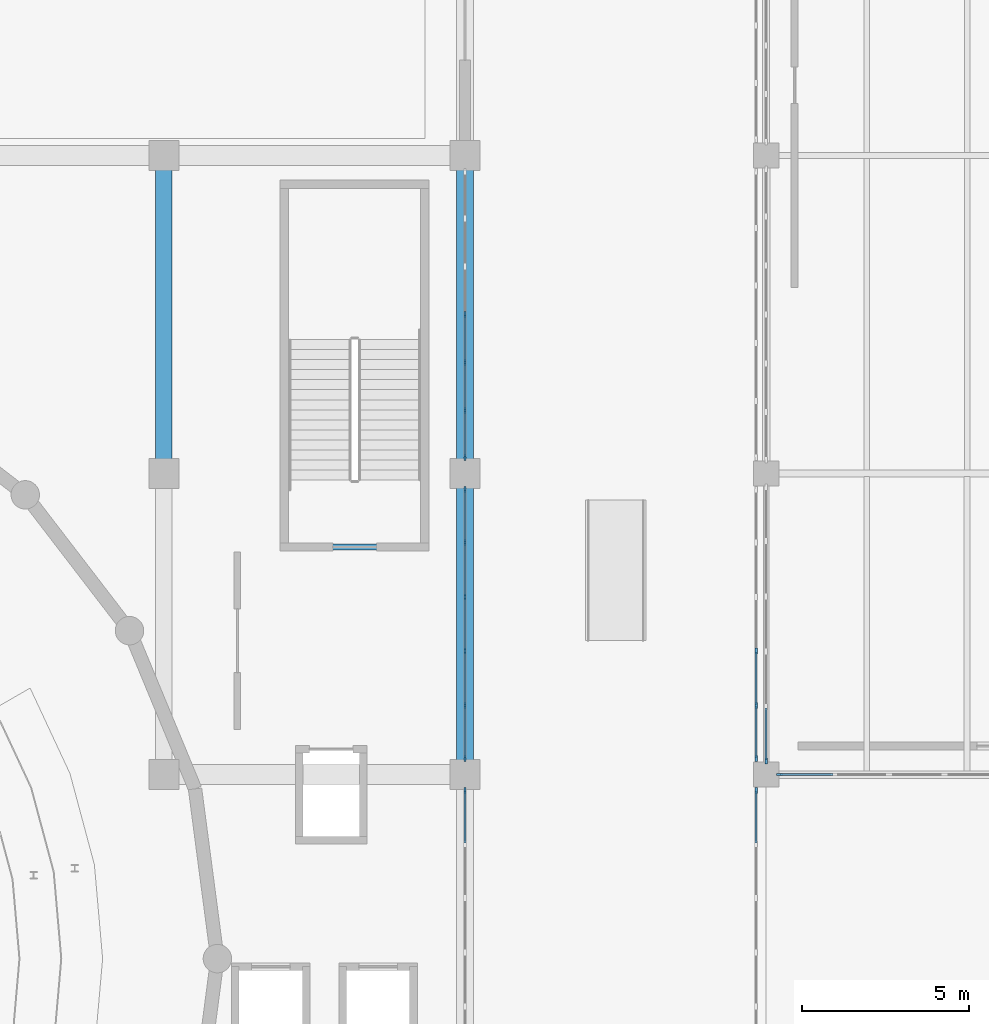
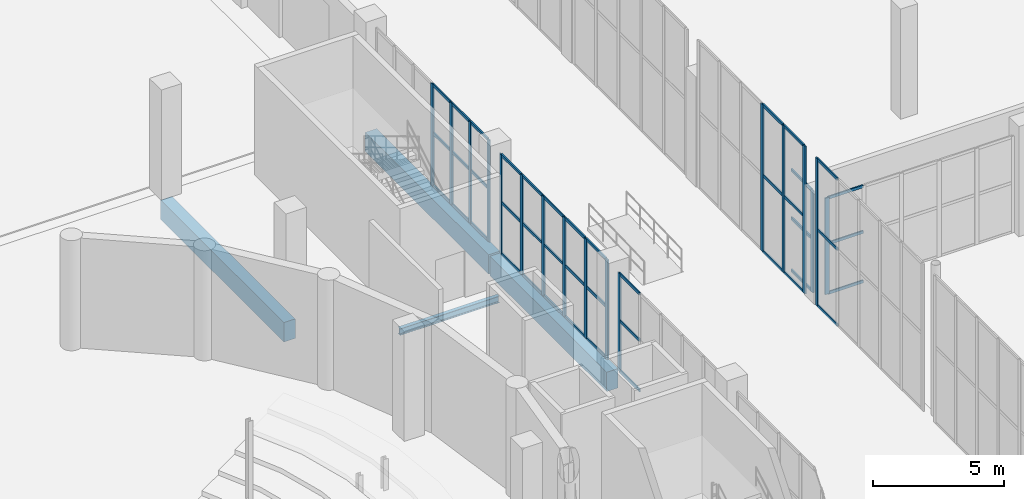
# One storey, part 51 of 103: 59 members, 4 beams, 7 elements without a shape of their own.
"""IFC4 building model written with IfcOpenShell, lengths in metres."""

from ifc_helpers import new_model, si_unit, direction, frame, origin, origin_2d, place, context, subcontext, project, spatial, rectangle, i_section, extrude, material, layer, layer_set, material_profile, profile_set, type_object, element, aggregate, save


model = new_model("IFC4")

# Units and contexts
model_context = context("Model", 3, precision=1e-05, world=origin(), true_north=direction((0.0, 1.0)))
body_context = subcontext(model_context, "Body", "Model", "MODEL_VIEW")
ifc_project = project(units=[si_unit("LENGTHUNIT", "METRE"), si_unit("AREAUNIT", "SQUARE_METRE"), si_unit("VOLUMEUNIT", "CUBIC_METRE"), si_unit("PLANEANGLEUNIT", "RADIAN"), si_unit("MASSUNIT", "GRAM", prefix="KILO")], contexts=[model_context])

# Site, building, storey
site_placement = place(None, origin())
site = spatial("IfcSite", under=ifc_project, at=site_placement, CompositionType="ELEMENT")
building_placement = place(site_placement, origin())
building = spatial("IfcBuilding", under=site, at=building_placement, Name="Marnock Terrace Opera House", CompositionType="ELEMENT")
storey_placement = place(building_placement, origin())
storey = spatial("IfcBuildingStorey", under=building, at=storey_placement, Name="L00", CompositionType="ELEMENT", Elevation=0.0)

# Beams
ifc_material_1 = material(Name="Concrete N40 (f'c = 40 MPa)", Category="concrete")
ifc_material_profile_1 = material_profile(ifc_material_1, rectangle(XDim=0.5, YDim=0.89990234375, at=origin_2d()))
ifc_profile_set_1 = profile_set([ifc_material_profile_1], Name="Concrete N40 (f'c = 40 MPa)")
beam_type_1 = type_object("IfcBeamType", Name="BM-B1-RC500", PredefinedType="BEAM", material=ifc_profile_set_1)
beam_1_placement = place(storey_placement, frame((100.0, 75.050048828125, -0.75), z_axis=(0.0, 1.0, 0.0), x_axis=(-1.0, 0.0, 0.0)))
element("IfcBeam", 1, at=beam_1_placement, inside=storey, type_object=beam_type_1, Name="L00 girder (X=100.0, 75.0..84.5)", PredefinedType="BEAM", context=body_context, shape_type="SweptSolid", body=[
    extrude(rectangle(XDim=0.5, YDim=0.89990234375, at=origin_2d()), origin(), (0.0, 0.0, 1.0), 9.39990234375),
])
beam_2_placement = place(storey_placement, frame((109.0, 66.050048828125, -0.75), z_axis=(0.0, 1.0, 0.0), x_axis=(-1.0, 0.0, 0.0)))
element("IfcBeam", 2, at=beam_2_placement, inside=storey, type_object=beam_type_1, Name="L00 girder (X=109.0, 66.0..75.0)", PredefinedType="BEAM", context=body_context, shape_type="SweptSolid", body=[
    extrude(rectangle(XDim=0.5, YDim=0.89990234375, at=origin_2d()), origin(), (0.0, 0.0, 1.0), 8.89990234375),
])
beam_3_placement = place(storey_placement, frame((109.0, 75.050048828125, -0.75), z_axis=(0.0, 1.0, 0.0), x_axis=(-1.0, 0.0, 0.0)))
element("IfcBeam", 3, at=beam_3_placement, inside=storey, type_object=beam_type_1, Name="L00 girder (X=109.0, 75.0..84.5)", PredefinedType="BEAM", context=body_context, shape_type="SweptSolid", body=[
    extrude(rectangle(XDim=0.5, YDim=0.89990234375, at=origin_2d()), origin(), (0.0, 0.0, 1.0), 9.39990234375),
])
ifc_material_2 = material(Name="Steel Grade 350 (AS/NZS 3679.1)", Category="steel")
ifc_material_profile_2 = material_profile(ifc_material_2, i_section(OverallWidth=0.166015625, OverallDepth=0.30712890625, WebThickness=0.006591796875, FlangeThickness=0.01171875, FilletRadius=0.011474609375, at=origin_2d()))
ifc_profile_set_2 = profile_set([ifc_material_profile_2], Name="Steel Grade 350 (AS/NZS 3679.1)")
beam_type_2 = type_object("IfcBeamType", Name="BM-LINT-310", PredefinedType="LINTEL", material=ifc_profile_set_2)
beam_4_placement = place(storey_placement, frame((103.52001953125, 72.800048828125, -0.64990234375), z_axis=(1.0, 0.0, 0.0), x_axis=(0.0, 1.0, 0.0)))
element("IfcBeam", 4, at=beam_4_placement, inside=storey, type_object=beam_type_2, Name="B1 Core C4 coupling lintel", PredefinedType="LINTEL", context=body_context, shape_type="SweptSolid", body=[
    extrude(i_section(OverallWidth=0.166015625, OverallDepth=0.30712890625, WebThickness=0.006591796875, FlangeThickness=0.01171875, FilletRadius=0.011474609375, at=origin_2d()), origin(), (0.0, 0.0, 1.0), 4.35986328125),
])

# Curtain wall, member
ifc_material_3 = material(Name="Anodised architectural bronze aluminium framing", Category="aluminium")
ifc_layer_1 = layer(ifc_material_3, 0.159912109375)
ifc_layer_set_1 = layer_set([ifc_layer_1], Name="Anodised architectural bronze aluminium framing")
curtain_wall_type_1 = type_object("IfcCurtainWallType", Name="CW-FOYER-90x51", PredefinedType="NOTDEFINED", material=ifc_layer_set_1)
curtain_wall_1_placement = place(storey_placement, origin())
curtain_wall_1 = element("IfcCurtainWall", 5, at=curtain_wall_1_placement, inside=storey, type_object=curtain_wall_type_1, Name="L00 glazed Beaux-Arts colonnade curtain wall CW-V1E-L00-07", PredefinedType="NOTDEFINED")
ifc_material_profile_3 = material_profile(ifc_material_3, rectangle(XDim=0.06494140625, YDim=0.179931640625, at=origin_2d()))
ifc_profile_set_3 = profile_set([ifc_material_profile_3], Name="Anodised architectural bronze aluminium framing")
member_type_1 = type_object("IfcMemberType", Name="CWM-65x180", PredefinedType="MULLION", material=ifc_profile_set_3)
member_1_placement = place(storey_placement, frame((109.0, 65.52392578125, 0.0), z_axis=(0.0, 0.0, 1.0), x_axis=(-1.0, 0.0, 0.0)))
member_1 = element("IfcMember", 6, at=member_1_placement, type_object=member_type_1, Name="CW-31 mullion 6", PredefinedType="MULLION", context=body_context, shape_type="SweptSolid", body=[
    extrude(rectangle(XDim=0.06494140625, YDim=0.179931640625, at=origin_2d()), origin(), (0.0, 0.0, 1.0), 4.56201171875),
])

# Curtain wall, members
curtain_wall_2_placement = place(storey_placement, origin())
curtain_wall_2 = element("IfcCurtainWall", 7, at=curtain_wall_2_placement, inside=storey, type_object=curtain_wall_type_1, Name="L00 glazed Beaux-Arts colonnade curtain wall CW-V1E-L00-08", PredefinedType="NOTDEFINED")
member_2_placement = place(storey_placement, frame((109.0, 66.47607421875, 0.0), z_axis=(0.0, 0.0, 1.0), x_axis=(-1.0, 0.0, 0.0)))
member_2 = element("IfcMember", 8, at=member_2_placement, type_object=member_type_1, Name="CW-31 mullion 1", PredefinedType="MULLION", context=body_context, shape_type="SweptSolid", body=[
    extrude(rectangle(XDim=0.06494140625, YDim=0.179931640625, at=origin_2d()), origin(), (0.0, 0.0, 1.0), 4.632568359375),
])
member_3_placement = place(storey_placement, frame((109.0, 68.067626953125, 0.0), z_axis=(0.0, 0.0, 1.0), x_axis=(-1.0, 0.0, 0.0)))
member_3 = element("IfcMember", 9, at=member_3_placement, type_object=member_type_1, Name="CW-31 mullion 2", PredefinedType="MULLION", context=body_context, shape_type="SweptSolid", body=[
    extrude(rectangle(XDim=0.06494140625, YDim=0.179931640625, at=origin_2d()), origin(), (0.0, 0.0, 1.0), 4.632568359375),
])
member_4_placement = place(storey_placement, frame((109.0, 69.689208984375, 0.0), z_axis=(0.0, 0.0, 1.0), x_axis=(-1.0, 0.0, 0.0)))
member_4 = element("IfcMember", 10, at=member_4_placement, type_object=member_type_1, Name="CW-31 mullion 3", PredefinedType="MULLION", context=body_context, shape_type="SweptSolid", body=[
    extrude(rectangle(XDim=0.06494140625, YDim=0.179931640625, at=origin_2d()), origin(), (0.0, 0.0, 1.0), 4.632568359375),
])
member_5_placement = place(storey_placement, frame((109.0, 71.310791015625, 0.0), z_axis=(0.0, 0.0, 1.0), x_axis=(-1.0, 0.0, 0.0)))
member_5 = element("IfcMember", 11, at=member_5_placement, type_object=member_type_1, Name="CW-31 mullion 4", PredefinedType="MULLION", context=body_context, shape_type="SweptSolid", body=[
    extrude(rectangle(XDim=0.06494140625, YDim=0.179931640625, at=origin_2d()), origin(), (0.0, 0.0, 1.0), 4.632568359375),
])
member_6_placement = place(storey_placement, frame((109.0, 72.932373046875, 0.0), z_axis=(0.0, 0.0, 1.0), x_axis=(-1.0, 0.0, 0.0)))
member_6 = element("IfcMember", 12, at=member_6_placement, type_object=member_type_1, Name="CW-31 mullion 5", PredefinedType="MULLION", context=body_context, shape_type="SweptSolid", body=[
    extrude(rectangle(XDim=0.06494140625, YDim=0.179931640625, at=origin_2d()), origin(), (0.0, 0.0, 1.0), 4.632568359375),
])
member_7_placement = place(storey_placement, frame((109.0, 74.52392578125, 0.0), z_axis=(0.0, 0.0, 1.0), x_axis=(-1.0, 0.0, 0.0)))
member_7 = element("IfcMember", 13, at=member_7_placement, type_object=member_type_1, Name="CW-31 mullion 6", PredefinedType="MULLION", context=body_context, shape_type="SweptSolid", body=[
    extrude(rectangle(XDim=0.06494140625, YDim=0.179931640625, at=origin_2d()), origin(), (0.0, 0.0, 1.0), 4.632568359375),
])

curtain_wall_3_placement = place(storey_placement, origin())
curtain_wall_3 = element("IfcCurtainWall", 14, at=curtain_wall_3_placement, inside=storey, type_object=curtain_wall_type_1, Name="L00 glazed Beaux-Arts colonnade curtain wall CW-V1E-L00-09", PredefinedType="NOTDEFINED")
member_8_placement = place(storey_placement, frame((109.0, 75.47607421875, 0.0), z_axis=(0.0, 0.0, 1.0), x_axis=(-1.0, 0.0, 0.0)))
member_8 = element("IfcMember", 15, at=member_8_placement, type_object=member_type_1, Name="CW-31 mullion 1", PredefinedType="MULLION", context=body_context, shape_type="SweptSolid", body=[
    extrude(rectangle(XDim=0.06494140625, YDim=0.179931640625, at=origin_2d()), origin(), (0.0, 0.0, 1.0), 4.734375),
])
member_9_placement = place(storey_placement, frame((109.0, 76.880615234375, 0.0), z_axis=(0.0, 0.0, 1.0), x_axis=(-1.0, 0.0, 0.0)))
member_9 = element("IfcMember", 16, at=member_9_placement, type_object=member_type_1, Name="CW-31 mullion 2", PredefinedType="MULLION", context=body_context, shape_type="SweptSolid", body=[
    extrude(rectangle(XDim=0.06494140625, YDim=0.179931640625, at=origin_2d()), origin(), (0.0, 0.0, 1.0), 4.734375),
])
member_10_placement = place(storey_placement, frame((109.0, 78.3154296875, 0.0), z_axis=(0.0, 0.0, 1.0), x_axis=(-1.0, 0.0, 0.0)))
member_10 = element("IfcMember", 17, at=member_10_placement, type_object=member_type_1, Name="CW-31 mullion 3", PredefinedType="MULLION", context=body_context, shape_type="SweptSolid", body=[
    extrude(rectangle(XDim=0.06494140625, YDim=0.179931640625, at=origin_2d()), origin(), (0.0, 0.0, 1.0), 4.734375),
])
member_11_placement = place(storey_placement, frame((109.0, 79.75, 0.0), z_axis=(0.0, 0.0, 1.0), x_axis=(-1.0, 0.0, 0.0)))
member_11 = element("IfcMember", 18, at=member_11_placement, type_object=member_type_1, Name="CW-31 mullion 4", PredefinedType="MULLION", context=body_context, shape_type="SweptSolid", body=[
    extrude(rectangle(XDim=0.06494140625, YDim=0.179931640625, at=origin_2d()), origin(), (0.0, 0.0, 1.0), 4.734375),
])

# Curtain wall, member
ifc_layer_2 = layer(ifc_material_3, 0.159912109375)
ifc_layer_set_2 = layer_set([ifc_layer_2], Name="Anodised architectural bronze aluminium framing")
curtain_wall_type_2 = type_object("IfcCurtainWallType", Name="CW-LOGGIA-86x51", PredefinedType="NOTDEFINED", material=ifc_layer_set_2)
curtain_wall_4_placement = place(storey_placement, origin())
curtain_wall_4 = element("IfcCurtainWall", 19, at=curtain_wall_4_placement, inside=storey, type_object=curtain_wall_type_2, Name="L00 glazed Beaux-Arts colonnade curtain wall CW-V5-L00-CN1", PredefinedType="NOTDEFINED")
member_12_placement = place(storey_placement, frame((118.40087890625, 66.0, 0.0), z_axis=(0.0, 0.0, 1.0), x_axis=(0.0, 1.0, 0.0)))
member_12 = element("IfcMember", 20, at=member_12_placement, type_object=member_type_1, Name="CW-96 mullion 1", PredefinedType="MULLION", context=body_context, shape_type="SweptSolid", body=[
    extrude(rectangle(XDim=0.06494140625, YDim=0.179931640625, at=origin_2d()), origin(), (0.0, 0.0, 1.0), 4.48291015625),
])

curtain_wall_5_placement = place(storey_placement, origin())
curtain_wall_5 = element("IfcCurtainWall", 21, at=curtain_wall_5_placement, inside=storey, type_object=curtain_wall_type_2, Name="L00 glazed Beaux-Arts colonnade curtain wall CW-V5-L00-W5", PredefinedType="NOTDEFINED")
member_13_placement = place(storey_placement, frame((118.0, 66.40087890625, 0.0), z_axis=(0.0, 0.0, 1.0), x_axis=(-1.0, 0.0, 0.0)))
member_13 = element("IfcMember", 22, at=member_13_placement, type_object=member_type_1, Name="CW-96 mullion 1", PredefinedType="MULLION", context=body_context, shape_type="SweptSolid", body=[
    extrude(rectangle(XDim=0.06494140625, YDim=0.179931640625, at=origin_2d()), origin(), (0.0, 0.0, 1.0), 4.734375),
])

ifc_layer_3 = layer(ifc_material_3, 0.159912109375)
ifc_layer_set_3 = layer_set([ifc_layer_3], Name="Anodised architectural bronze aluminium framing")
curtain_wall_type_3 = type_object("IfcCurtainWallType", Name="CW-PASSAGE-81x68", PredefinedType="NOTDEFINED", material=ifc_layer_set_3)
curtain_wall_6_placement = place(storey_placement, origin())
curtain_wall_6 = element("IfcCurtainWall", 23, at=curtain_wall_6_placement, inside=storey, type_object=curtain_wall_type_3, Name="L00 glazed Beaux-Arts colonnade curtain wall CW-PASSAGE-L00-07", PredefinedType="NOTDEFINED")
member_14_placement = place(storey_placement, frame((117.699951171875, 65.52001953125, 0.0), z_axis=(0.0, 0.0, 1.0), x_axis=(-1.0, 0.0, 0.0)))
member_14 = element("IfcMember", 24, at=member_14_placement, type_object=member_type_1, Name="CW-65 mullion 6", PredefinedType="MULLION", context=body_context, shape_type="SweptSolid", body=[
    extrude(rectangle(XDim=0.06494140625, YDim=0.179931640625, at=origin_2d()), origin(), (0.0, 0.0, 1.0), 6.85009765625),
])

# Curtain wall, members
curtain_wall_7_placement = place(storey_placement, origin())
curtain_wall_7 = element("IfcCurtainWall", 25, at=curtain_wall_7_placement, inside=storey, type_object=curtain_wall_type_3, Name="L00 glazed Beaux-Arts colonnade curtain wall CW-PASSAGE-L00-08", PredefinedType="NOTDEFINED")
member_15_placement = place(storey_placement, frame((117.699951171875, 66.47998046875, 0.0), z_axis=(0.0, 0.0, 1.0), x_axis=(-1.0, 0.0, 0.0)))
member_15 = element("IfcMember", 26, at=member_15_placement, type_object=member_type_1, Name="CW-65 mullion 1", PredefinedType="MULLION", context=body_context, shape_type="SweptSolid", body=[
    extrude(rectangle(XDim=0.06494140625, YDim=0.179931640625, at=origin_2d()), origin(), (0.0, 0.0, 1.0), 6.85009765625),
])
member_16_placement = place(storey_placement, frame((117.699951171875, 68.070068359375, 0.0), z_axis=(0.0, 0.0, 1.0), x_axis=(-1.0, 0.0, 0.0)))
member_16 = element("IfcMember", 27, at=member_16_placement, type_object=member_type_1, Name="CW-65 mullion 2", PredefinedType="MULLION", context=body_context, shape_type="SweptSolid", body=[
    extrude(rectangle(XDim=0.06494140625, YDim=0.179931640625, at=origin_2d()), origin(), (0.0, 0.0, 1.0), 6.85009765625),
])
member_17_placement = place(storey_placement, frame((117.699951171875, 69.68994140625, 0.0), z_axis=(0.0, 0.0, 1.0), x_axis=(-1.0, 0.0, 0.0)))
member_17 = element("IfcMember", 28, at=member_17_placement, type_object=member_type_1, Name="CW-65 mullion 3", PredefinedType="MULLION", context=body_context, shape_type="SweptSolid", body=[
    extrude(rectangle(XDim=0.06494140625, YDim=0.179931640625, at=origin_2d()), origin(), (0.0, 0.0, 1.0), 6.85009765625),
])

# Member
ifc_material_profile_4 = material_profile(ifc_material_3, rectangle(XDim=0.06005859375, YDim=0.1298828125, at=origin_2d()))
ifc_profile_set_4 = profile_set([ifc_material_profile_4], Name="Anodised architectural bronze aluminium framing")
member_type_2 = type_object("IfcMemberType", Name="CWT-60x130", PredefinedType="USERDEFINED", material=ifc_profile_set_4)
member_18_placement = place(storey_placement, frame((109.0, 63.96240234375, 0.030029296875), z_axis=(0.0, 1.0, 0.0), x_axis=(-1.0, 0.0, 0.0)))
member_18 = element("IfcMember", 29, at=member_18_placement, type_object=member_type_2, Name="CW-31 transom 5.1", ObjectType="TRANSOM", PredefinedType="USERDEFINED", context=body_context, shape_type="SweptSolid", body=[
    extrude(rectangle(XDim=0.06005859375, YDim=0.1298828125, at=origin_2d()), origin(), (0.0, 0.0, 1.0), 1.531494140625),
])

member_19_placement = place(storey_placement, frame((109.0, 63.96240234375, 2.372314453125), z_axis=(0.0, 1.0, 0.0), x_axis=(-1.0, 0.0, 0.0)))
member_19 = element("IfcMember", 30, at=member_19_placement, type_object=member_type_2, Name="CW-31 transom 5.2", ObjectType="TRANSOM", PredefinedType="USERDEFINED", context=body_context, shape_type="SweptSolid", body=[
    extrude(rectangle(XDim=0.06005859375, YDim=0.1298828125, at=origin_2d()), origin(), (0.0, 0.0, 1.0), 1.531494140625),
])

member_20_placement = place(storey_placement, frame((109.0, 63.96240234375, 4.531982421875), z_axis=(0.0, 1.0, 0.0), x_axis=(-1.0, 0.0, 0.0)))
member_20 = element("IfcMember", 31, at=member_20_placement, type_object=member_type_2, Name="CW-31 transom 5.3", ObjectType="TRANSOM", PredefinedType="USERDEFINED", context=body_context, shape_type="SweptSolid", body=[
    extrude(rectangle(XDim=0.06005859375, YDim=0.1298828125, at=origin_2d()), origin(), (0.0, 0.0, 1.0), 1.531494140625),
])

aggregate(curtain_wall_1, [member_1, member_18, member_19, member_20])

member_21_placement = place(storey_placement, frame((109.0, 66.506103515625, 0.030029296875), z_axis=(0.0, 1.0, 0.0), x_axis=(-1.0, 0.0, 0.0)))
member_21 = element("IfcMember", 32, at=member_21_placement, type_object=member_type_2, Name="CW-31 transom 1.1", ObjectType="TRANSOM", PredefinedType="USERDEFINED", context=body_context, shape_type="SweptSolid", body=[
    extrude(rectangle(XDim=0.06005859375, YDim=0.1298828125, at=origin_2d()), origin(), (0.0, 0.0, 1.0), 1.531494140625),
])

member_22_placement = place(storey_placement, frame((109.0, 66.506103515625, 2.408935546875), z_axis=(0.0, 1.0, 0.0), x_axis=(-1.0, 0.0, 0.0)))
member_22 = element("IfcMember", 33, at=member_22_placement, type_object=member_type_2, Name="CW-31 transom 1.2", ObjectType="TRANSOM", PredefinedType="USERDEFINED", context=body_context, shape_type="SweptSolid", body=[
    extrude(rectangle(XDim=0.06005859375, YDim=0.1298828125, at=origin_2d()), origin(), (0.0, 0.0, 1.0), 1.531494140625),
])

member_23_placement = place(storey_placement, frame((109.0, 66.506103515625, 4.6025390625), z_axis=(0.0, 1.0, 0.0), x_axis=(-1.0, 0.0, 0.0)))
member_23 = element("IfcMember", 34, at=member_23_placement, type_object=member_type_2, Name="CW-31 transom 1.3", ObjectType="TRANSOM", PredefinedType="USERDEFINED", context=body_context, shape_type="SweptSolid", body=[
    extrude(rectangle(XDim=0.06005859375, YDim=0.1298828125, at=origin_2d()), origin(), (0.0, 0.0, 1.0), 1.531494140625),
])

member_24_placement = place(storey_placement, frame((109.0, 68.09765625, 0.030029296875), z_axis=(0.0, 1.0, 0.0), x_axis=(-1.0, 0.0, 0.0)))
member_24 = element("IfcMember", 35, at=member_24_placement, type_object=member_type_2, Name="CW-31 transom 2.1", ObjectType="TRANSOM", PredefinedType="USERDEFINED", context=body_context, shape_type="SweptSolid", body=[
    extrude(rectangle(XDim=0.06005859375, YDim=0.1298828125, at=origin_2d()), origin(), (0.0, 0.0, 1.0), 1.5615234375),
])

member_25_placement = place(storey_placement, frame((109.0, 68.09765625, 2.408935546875), z_axis=(0.0, 1.0, 0.0), x_axis=(-1.0, 0.0, 0.0)))
member_25 = element("IfcMember", 36, at=member_25_placement, type_object=member_type_2, Name="CW-31 transom 2.2", ObjectType="TRANSOM", PredefinedType="USERDEFINED", context=body_context, shape_type="SweptSolid", body=[
    extrude(rectangle(XDim=0.06005859375, YDim=0.1298828125, at=origin_2d()), origin(), (0.0, 0.0, 1.0), 1.5615234375),
])

member_26_placement = place(storey_placement, frame((109.0, 68.09765625, 4.6025390625), z_axis=(0.0, 1.0, 0.0), x_axis=(-1.0, 0.0, 0.0)))
member_26 = element("IfcMember", 37, at=member_26_placement, type_object=member_type_2, Name="CW-31 transom 2.3", ObjectType="TRANSOM", PredefinedType="USERDEFINED", context=body_context, shape_type="SweptSolid", body=[
    extrude(rectangle(XDim=0.06005859375, YDim=0.1298828125, at=origin_2d()), origin(), (0.0, 0.0, 1.0), 1.5615234375),
])

member_27_placement = place(storey_placement, frame((109.0, 69.71923828125, 0.030029296875), z_axis=(0.0, 1.0, 0.0), x_axis=(-1.0, 0.0, 0.0)))
member_27 = element("IfcMember", 38, at=member_27_placement, type_object=member_type_2, Name="CW-31 transom 3.1", ObjectType="TRANSOM", PredefinedType="USERDEFINED", context=body_context, shape_type="SweptSolid", body=[
    extrude(rectangle(XDim=0.06005859375, YDim=0.1298828125, at=origin_2d()), origin(), (0.0, 0.0, 1.0), 1.5615234375),
])

member_28_placement = place(storey_placement, frame((109.0, 69.71923828125, 2.408935546875), z_axis=(0.0, 1.0, 0.0), x_axis=(-1.0, 0.0, 0.0)))
member_28 = element("IfcMember", 39, at=member_28_placement, type_object=member_type_2, Name="CW-31 transom 3.2", ObjectType="TRANSOM", PredefinedType="USERDEFINED", context=body_context, shape_type="SweptSolid", body=[
    extrude(rectangle(XDim=0.06005859375, YDim=0.1298828125, at=origin_2d()), origin(), (0.0, 0.0, 1.0), 1.5615234375),
])

member_29_placement = place(storey_placement, frame((109.0, 69.71923828125, 4.6025390625), z_axis=(0.0, 1.0, 0.0), x_axis=(-1.0, 0.0, 0.0)))
member_29 = element("IfcMember", 40, at=member_29_placement, type_object=member_type_2, Name="CW-31 transom 3.3", ObjectType="TRANSOM", PredefinedType="USERDEFINED", context=body_context, shape_type="SweptSolid", body=[
    extrude(rectangle(XDim=0.06005859375, YDim=0.1298828125, at=origin_2d()), origin(), (0.0, 0.0, 1.0), 1.5615234375),
])

member_30_placement = place(storey_placement, frame((109.0, 71.3408203125, 0.030029296875), z_axis=(0.0, 1.0, 0.0), x_axis=(-1.0, 0.0, 0.0)))
member_30 = element("IfcMember", 41, at=member_30_placement, type_object=member_type_2, Name="CW-31 transom 4.1", ObjectType="TRANSOM", PredefinedType="USERDEFINED", context=body_context, shape_type="SweptSolid", body=[
    extrude(rectangle(XDim=0.06005859375, YDim=0.1298828125, at=origin_2d()), origin(), (0.0, 0.0, 1.0), 1.5615234375),
])

member_31_placement = place(storey_placement, frame((109.0, 71.3408203125, 2.408935546875), z_axis=(0.0, 1.0, 0.0), x_axis=(-1.0, 0.0, 0.0)))
member_31 = element("IfcMember", 42, at=member_31_placement, type_object=member_type_2, Name="CW-31 transom 4.2", ObjectType="TRANSOM", PredefinedType="USERDEFINED", context=body_context, shape_type="SweptSolid", body=[
    extrude(rectangle(XDim=0.06005859375, YDim=0.1298828125, at=origin_2d()), origin(), (0.0, 0.0, 1.0), 1.5615234375),
])

member_32_placement = place(storey_placement, frame((109.0, 71.3408203125, 4.6025390625), z_axis=(0.0, 1.0, 0.0), x_axis=(-1.0, 0.0, 0.0)))
member_32 = element("IfcMember", 43, at=member_32_placement, type_object=member_type_2, Name="CW-31 transom 4.3", ObjectType="TRANSOM", PredefinedType="USERDEFINED", context=body_context, shape_type="SweptSolid", body=[
    extrude(rectangle(XDim=0.06005859375, YDim=0.1298828125, at=origin_2d()), origin(), (0.0, 0.0, 1.0), 1.5615234375),
])

member_33_placement = place(storey_placement, frame((109.0, 72.96240234375, 0.030029296875), z_axis=(0.0, 1.0, 0.0), x_axis=(-1.0, 0.0, 0.0)))
member_33 = element("IfcMember", 44, at=member_33_placement, type_object=member_type_2, Name="CW-31 transom 5.1", ObjectType="TRANSOM", PredefinedType="USERDEFINED", context=body_context, shape_type="SweptSolid", body=[
    extrude(rectangle(XDim=0.06005859375, YDim=0.1298828125, at=origin_2d()), origin(), (0.0, 0.0, 1.0), 1.531494140625),
])

member_34_placement = place(storey_placement, frame((109.0, 72.96240234375, 2.408935546875), z_axis=(0.0, 1.0, 0.0), x_axis=(-1.0, 0.0, 0.0)))
member_34 = element("IfcMember", 45, at=member_34_placement, type_object=member_type_2, Name="CW-31 transom 5.2", ObjectType="TRANSOM", PredefinedType="USERDEFINED", context=body_context, shape_type="SweptSolid", body=[
    extrude(rectangle(XDim=0.06005859375, YDim=0.1298828125, at=origin_2d()), origin(), (0.0, 0.0, 1.0), 1.531494140625),
])

member_35_placement = place(storey_placement, frame((109.0, 72.96240234375, 4.6025390625), z_axis=(0.0, 1.0, 0.0), x_axis=(-1.0, 0.0, 0.0)))
member_35 = element("IfcMember", 46, at=member_35_placement, type_object=member_type_2, Name="CW-31 transom 5.3", ObjectType="TRANSOM", PredefinedType="USERDEFINED", context=body_context, shape_type="SweptSolid", body=[
    extrude(rectangle(XDim=0.06005859375, YDim=0.1298828125, at=origin_2d()), origin(), (0.0, 0.0, 1.0), 1.531494140625),
])

aggregate(curtain_wall_2, [member_2, member_3, member_4, member_5, member_6, member_7, member_21, member_22, member_23, member_24, member_25, member_26, member_27, member_28, member_29, member_30, member_31, member_32, member_33, member_34, member_35])

member_36_placement = place(storey_placement, frame((109.0, 75.506103515625, 0.030029296875), z_axis=(0.0, 1.0, 0.0), x_axis=(-1.0, 0.0, 0.0)))
member_36 = element("IfcMember", 47, at=member_36_placement, type_object=member_type_2, Name="CW-31 transom 1.1", ObjectType="TRANSOM", PredefinedType="USERDEFINED", context=body_context, shape_type="SweptSolid", body=[
    extrude(rectangle(XDim=0.06005859375, YDim=0.1298828125, at=origin_2d()), origin(), (0.0, 0.0, 1.0), 1.344482421875),
])

member_37_placement = place(storey_placement, frame((109.0, 75.506103515625, 2.4619140625), z_axis=(0.0, 1.0, 0.0), x_axis=(-1.0, 0.0, 0.0)))
member_37 = element("IfcMember", 48, at=member_37_placement, type_object=member_type_2, Name="CW-31 transom 1.2", ObjectType="TRANSOM", PredefinedType="USERDEFINED", context=body_context, shape_type="SweptSolid", body=[
    extrude(rectangle(XDim=0.06005859375, YDim=0.1298828125, at=origin_2d()), origin(), (0.0, 0.0, 1.0), 1.344482421875),
])

member_38_placement = place(storey_placement, frame((109.0, 75.506103515625, 4.704345703125), z_axis=(0.0, 1.0, 0.0), x_axis=(-1.0, 0.0, 0.0)))
member_38 = element("IfcMember", 49, at=member_38_placement, type_object=member_type_2, Name="CW-31 transom 1.3", ObjectType="TRANSOM", PredefinedType="USERDEFINED", context=body_context, shape_type="SweptSolid", body=[
    extrude(rectangle(XDim=0.06005859375, YDim=0.1298828125, at=origin_2d()), origin(), (0.0, 0.0, 1.0), 1.344482421875),
])

member_39_placement = place(storey_placement, frame((109.0, 76.91064453125, 0.030029296875), z_axis=(0.0, 1.0, 0.0), x_axis=(-1.0, 0.0, 0.0)))
member_39 = element("IfcMember", 50, at=member_39_placement, type_object=member_type_2, Name="CW-31 transom 2.1", ObjectType="TRANSOM", PredefinedType="USERDEFINED", context=body_context, shape_type="SweptSolid", body=[
    extrude(rectangle(XDim=0.06005859375, YDim=0.1298828125, at=origin_2d()), origin(), (0.0, 0.0, 1.0), 1.374755859375),
])

member_40_placement = place(storey_placement, frame((109.0, 76.91064453125, 2.4619140625), z_axis=(0.0, 1.0, 0.0), x_axis=(-1.0, 0.0, 0.0)))
member_40 = element("IfcMember", 51, at=member_40_placement, type_object=member_type_2, Name="CW-31 transom 2.2", ObjectType="TRANSOM", PredefinedType="USERDEFINED", context=body_context, shape_type="SweptSolid", body=[
    extrude(rectangle(XDim=0.06005859375, YDim=0.1298828125, at=origin_2d()), origin(), (0.0, 0.0, 1.0), 1.374755859375),
])

member_41_placement = place(storey_placement, frame((109.0, 76.91064453125, 4.704345703125), z_axis=(0.0, 1.0, 0.0), x_axis=(-1.0, 0.0, 0.0)))
member_41 = element("IfcMember", 52, at=member_41_placement, type_object=member_type_2, Name="CW-31 transom 2.3", ObjectType="TRANSOM", PredefinedType="USERDEFINED", context=body_context, shape_type="SweptSolid", body=[
    extrude(rectangle(XDim=0.06005859375, YDim=0.1298828125, at=origin_2d()), origin(), (0.0, 0.0, 1.0), 1.374755859375),
])

member_42_placement = place(storey_placement, frame((109.0, 78.34521484375, 0.030029296875), z_axis=(0.0, 1.0, 0.0), x_axis=(-1.0, 0.0, 0.0)))
member_42 = element("IfcMember", 53, at=member_42_placement, type_object=member_type_2, Name="CW-31 transom 3.1", ObjectType="TRANSOM", PredefinedType="USERDEFINED", context=body_context, shape_type="SweptSolid", body=[
    extrude(rectangle(XDim=0.06005859375, YDim=0.1298828125, at=origin_2d()), origin(), (0.0, 0.0, 1.0), 1.374755859375),
])

member_43_placement = place(storey_placement, frame((109.0, 78.34521484375, 2.4619140625), z_axis=(0.0, 1.0, 0.0), x_axis=(-1.0, 0.0, 0.0)))
member_43 = element("IfcMember", 54, at=member_43_placement, type_object=member_type_2, Name="CW-31 transom 3.2", ObjectType="TRANSOM", PredefinedType="USERDEFINED", context=body_context, shape_type="SweptSolid", body=[
    extrude(rectangle(XDim=0.06005859375, YDim=0.1298828125, at=origin_2d()), origin(), (0.0, 0.0, 1.0), 1.374755859375),
])

member_44_placement = place(storey_placement, frame((109.0, 78.34521484375, 4.704345703125), z_axis=(0.0, 1.0, 0.0), x_axis=(-1.0, 0.0, 0.0)))
member_44 = element("IfcMember", 55, at=member_44_placement, type_object=member_type_2, Name="CW-31 transom 3.3", ObjectType="TRANSOM", PredefinedType="USERDEFINED", context=body_context, shape_type="SweptSolid", body=[
    extrude(rectangle(XDim=0.06005859375, YDim=0.1298828125, at=origin_2d()), origin(), (0.0, 0.0, 1.0), 1.374755859375),
])

aggregate(curtain_wall_3, [member_8, member_9, member_10, member_11, member_36, member_37, member_38, member_39, member_40, member_41, member_42, member_43, member_44])

member_45_placement = place(storey_placement, frame((118.430908203125, 66.0, 0.030029296875), z_axis=(1.0, 0.0, 0.0), x_axis=(0.0, 1.0, 0.0)))
member_45 = element("IfcMember", 56, at=member_45_placement, type_object=member_type_2, Name="CW-96 transom 1.1", ObjectType="TRANSOM", PredefinedType="USERDEFINED", context=body_context, shape_type="SweptSolid", body=[
    extrude(rectangle(XDim=0.06005859375, YDim=0.1298828125, at=origin_2d()), origin(), (0.0, 0.0, 1.0), 1.561767578125),
])

member_46_placement = place(storey_placement, frame((118.430908203125, 66.0, 2.331298828125), z_axis=(1.0, 0.0, 0.0), x_axis=(0.0, 1.0, 0.0)))
member_46 = element("IfcMember", 57, at=member_46_placement, type_object=member_type_2, Name="CW-96 transom 1.2", ObjectType="TRANSOM", PredefinedType="USERDEFINED", context=body_context, shape_type="SweptSolid", body=[
    extrude(rectangle(XDim=0.06005859375, YDim=0.1298828125, at=origin_2d()), origin(), (0.0, 0.0, 1.0), 1.561767578125),
])

member_47_placement = place(storey_placement, frame((118.430908203125, 66.0, 4.452880859375), z_axis=(1.0, 0.0, 0.0), x_axis=(0.0, 1.0, 0.0)))
member_47 = element("IfcMember", 58, at=member_47_placement, type_object=member_type_2, Name="CW-96 transom 1.3", ObjectType="TRANSOM", PredefinedType="USERDEFINED", context=body_context, shape_type="SweptSolid", body=[
    extrude(rectangle(XDim=0.06005859375, YDim=0.1298828125, at=origin_2d()), origin(), (0.0, 0.0, 1.0), 1.561767578125),
])

aggregate(curtain_wall_4, [member_12, member_45, member_46, member_47])

member_48_placement = place(storey_placement, frame((118.0, 66.430908203125, 0.030029296875), z_axis=(0.0, 1.0, 0.0), x_axis=(-1.0, 0.0, 0.0)))
member_48 = element("IfcMember", 59, at=member_48_placement, type_object=member_type_2, Name="CW-96 transom 1.1", ObjectType="TRANSOM", PredefinedType="USERDEFINED", context=body_context, shape_type="SweptSolid", body=[
    extrude(rectangle(XDim=0.06005859375, YDim=0.1298828125, at=origin_2d()), origin(), (0.0, 0.0, 1.0), 1.561767578125),
])

member_49_placement = place(storey_placement, frame((118.0, 66.430908203125, 2.4619140625), z_axis=(0.0, 1.0, 0.0), x_axis=(-1.0, 0.0, 0.0)))
member_49 = element("IfcMember", 60, at=member_49_placement, type_object=member_type_2, Name="CW-96 transom 1.2", ObjectType="TRANSOM", PredefinedType="USERDEFINED", context=body_context, shape_type="SweptSolid", body=[
    extrude(rectangle(XDim=0.06005859375, YDim=0.1298828125, at=origin_2d()), origin(), (0.0, 0.0, 1.0), 1.561767578125),
])

member_50_placement = place(storey_placement, frame((118.0, 66.430908203125, 4.704345703125), z_axis=(0.0, 1.0, 0.0), x_axis=(-1.0, 0.0, 0.0)))
member_50 = element("IfcMember", 61, at=member_50_placement, type_object=member_type_2, Name="CW-96 transom 1.3", ObjectType="TRANSOM", PredefinedType="USERDEFINED", context=body_context, shape_type="SweptSolid", body=[
    extrude(rectangle(XDim=0.06005859375, YDim=0.1298828125, at=origin_2d()), origin(), (0.0, 0.0, 1.0), 1.561767578125),
])

aggregate(curtain_wall_5, [member_13, member_48, member_49, member_50])

member_51_placement = place(storey_placement, frame((117.699951171875, 63.9599609375, 0.030029296875), z_axis=(0.0, 1.0, 0.0), x_axis=(-1.0, 0.0, 0.0)))
member_51 = element("IfcMember", 62, at=member_51_placement, type_object=member_type_2, Name="CW-65 transom 5.1", ObjectType="TRANSOM", PredefinedType="USERDEFINED", context=body_context, shape_type="SweptSolid", body=[
    extrude(rectangle(XDim=0.06005859375, YDim=0.1298828125, at=origin_2d()), origin(), (0.0, 0.0, 1.0), 1.530029296875),
])

member_52_placement = place(storey_placement, frame((117.699951171875, 63.9599609375, 3.56201171875), z_axis=(0.0, 1.0, 0.0), x_axis=(-1.0, 0.0, 0.0)))
member_52 = element("IfcMember", 63, at=member_52_placement, type_object=member_type_2, Name="CW-65 transom 5.2", ObjectType="TRANSOM", PredefinedType="USERDEFINED", context=body_context, shape_type="SweptSolid", body=[
    extrude(rectangle(XDim=0.06005859375, YDim=0.1298828125, at=origin_2d()), origin(), (0.0, 0.0, 1.0), 1.530029296875),
])

member_53_placement = place(storey_placement, frame((117.699951171875, 63.9599609375, 6.820068359375), z_axis=(0.0, 1.0, 0.0), x_axis=(-1.0, 0.0, 0.0)))
member_53 = element("IfcMember", 64, at=member_53_placement, type_object=member_type_2, Name="CW-65 transom 5.3", ObjectType="TRANSOM", PredefinedType="USERDEFINED", context=body_context, shape_type="SweptSolid", body=[
    extrude(rectangle(XDim=0.06005859375, YDim=0.1298828125, at=origin_2d()), origin(), (0.0, 0.0, 1.0), 1.530029296875),
])

aggregate(curtain_wall_6, [member_14, member_51, member_52, member_53])

member_54_placement = place(storey_placement, frame((117.699951171875, 66.510009765625, 0.030029296875), z_axis=(0.0, 1.0, 0.0), x_axis=(-1.0, 0.0, 0.0)))
member_54 = element("IfcMember", 65, at=member_54_placement, type_object=member_type_2, Name="CW-65 transom 1.1", ObjectType="TRANSOM", PredefinedType="USERDEFINED", context=body_context, shape_type="SweptSolid", body=[
    extrude(rectangle(XDim=0.06005859375, YDim=0.1298828125, at=origin_2d()), origin(), (0.0, 0.0, 1.0), 1.530029296875),
])

member_55_placement = place(storey_placement, frame((117.699951171875, 66.510009765625, 3.56201171875), z_axis=(0.0, 1.0, 0.0), x_axis=(-1.0, 0.0, 0.0)))
member_55 = element("IfcMember", 66, at=member_55_placement, type_object=member_type_2, Name="CW-65 transom 1.2", ObjectType="TRANSOM", PredefinedType="USERDEFINED", context=body_context, shape_type="SweptSolid", body=[
    extrude(rectangle(XDim=0.06005859375, YDim=0.1298828125, at=origin_2d()), origin(), (0.0, 0.0, 1.0), 1.530029296875),
])

member_56_placement = place(storey_placement, frame((117.699951171875, 66.510009765625, 6.820068359375), z_axis=(0.0, 1.0, 0.0), x_axis=(-1.0, 0.0, 0.0)))
member_56 = element("IfcMember", 67, at=member_56_placement, type_object=member_type_2, Name="CW-65 transom 1.3", ObjectType="TRANSOM", PredefinedType="USERDEFINED", context=body_context, shape_type="SweptSolid", body=[
    extrude(rectangle(XDim=0.06005859375, YDim=0.1298828125, at=origin_2d()), origin(), (0.0, 0.0, 1.0), 1.530029296875),
])

member_57_placement = place(storey_placement, frame((117.699951171875, 68.10009765625, 0.030029296875), z_axis=(0.0, 1.0, 0.0), x_axis=(-1.0, 0.0, 0.0)))
member_57 = element("IfcMember", 68, at=member_57_placement, type_object=member_type_2, Name="CW-65 transom 2.1", ObjectType="TRANSOM", PredefinedType="USERDEFINED", context=body_context, shape_type="SweptSolid", body=[
    extrude(rectangle(XDim=0.06005859375, YDim=0.1298828125, at=origin_2d()), origin(), (0.0, 0.0, 1.0), 1.559814453125),
])

member_58_placement = place(storey_placement, frame((117.699951171875, 68.10009765625, 3.56201171875), z_axis=(0.0, 1.0, 0.0), x_axis=(-1.0, 0.0, 0.0)))
member_58 = element("IfcMember", 69, at=member_58_placement, type_object=member_type_2, Name="CW-65 transom 2.2", ObjectType="TRANSOM", PredefinedType="USERDEFINED", context=body_context, shape_type="SweptSolid", body=[
    extrude(rectangle(XDim=0.06005859375, YDim=0.1298828125, at=origin_2d()), origin(), (0.0, 0.0, 1.0), 1.559814453125),
])

member_59_placement = place(storey_placement, frame((117.699951171875, 68.10009765625, 6.820068359375), z_axis=(0.0, 1.0, 0.0), x_axis=(-1.0, 0.0, 0.0)))
member_59 = element("IfcMember", 70, at=member_59_placement, type_object=member_type_2, Name="CW-65 transom 2.3", ObjectType="TRANSOM", PredefinedType="USERDEFINED", context=body_context, shape_type="SweptSolid", body=[
    extrude(rectangle(XDim=0.06005859375, YDim=0.1298828125, at=origin_2d()), origin(), (0.0, 0.0, 1.0), 1.559814453125),
])

aggregate(curtain_wall_7, [member_15, member_16, member_17, member_54, member_55, member_56, member_57, member_58, member_59])

save(model, "model.ifc")
